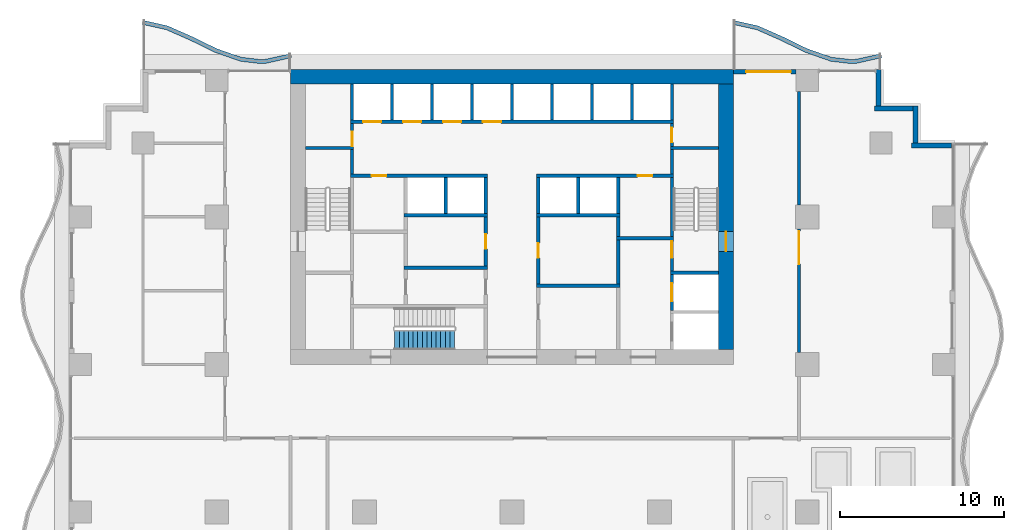
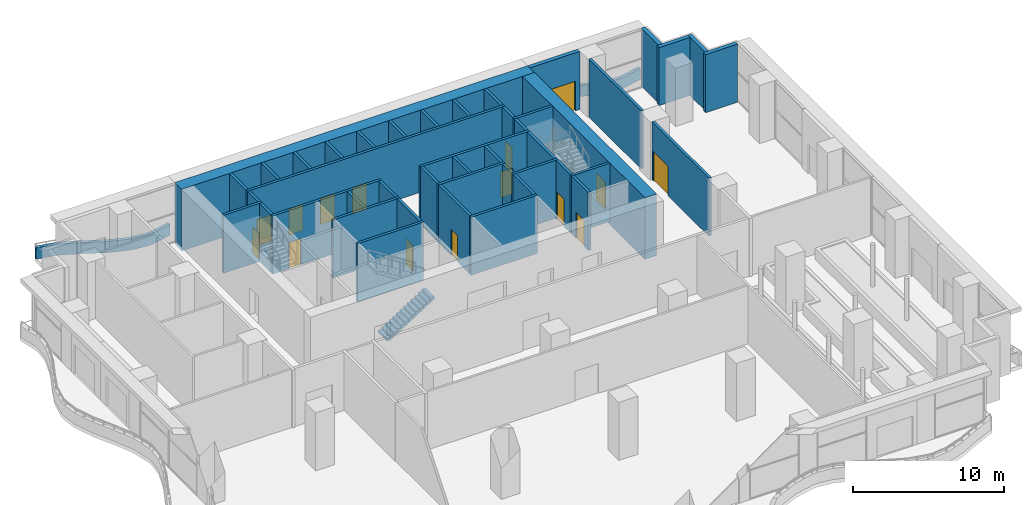
# One storey, part 9 of 18: 47 walls, 15 doors, 1 stair flight, 15 openings, 1 element without a shape of its own.
"""IFC4 building model written with IfcOpenShell, lengths in metres."""

from ifc_helpers import new_model, si_unit, direction, frame, frame_2d, origin, place, context, subcontext, project, spatial, polyline, rectangle, outline, extrude, material, layer, layer_set, type_object, element, fill, aggregate, save


model = new_model("IFC4")

# Units and contexts
model_context = context("Model", 3, precision=1e-05, world=origin(), true_north=direction((0.0, 1.0)))
body_context = subcontext(model_context, "Body", "Model", "MODEL_VIEW")
ifc_project = project(units=[si_unit("LENGTHUNIT", "METRE"), si_unit("AREAUNIT", "SQUARE_METRE"), si_unit("VOLUMEUNIT", "CUBIC_METRE"), si_unit("PLANEANGLEUNIT", "RADIAN"), si_unit("MASSUNIT", "GRAM", prefix="KILO")], contexts=[model_context])

# Site, building, storey
site_placement = place(None, origin())
site = spatial("IfcSite", under=ifc_project, at=site_placement, CompositionType="ELEMENT")
building_placement = place(site_placement, origin())
building = spatial("IfcBuilding", under=site, at=building_placement, Name="Orbiselva Terraces", CompositionType="ELEMENT")
storey_placement = place(building_placement, frame((0.0, 0.0, 64.4)))
storey = spatial("IfcBuildingStorey", under=building, at=storey_placement, Name="L16", CompositionType="ELEMENT", Elevation=64.4)

# Wall, opening, door
ifc_material_1 = material(Name="Concrete C80/95", Category="concrete")
ifc_layer_1 = layer(ifc_material_1, 0.9)
ifc_layer_set_1 = layer_set([ifc_layer_1], Name="Concrete C80/95")
wall_type_1 = type_object("IfcWallType", Name="CORE WALL 900", PredefinedType="SHEAR", material=ifc_layer_set_1)
wall_1_placement = place(storey_placement, frame((13.05, 5.4, -0.3), z_axis=(0.0, 0.0, 1.0), x_axis=(0.0, 1.0, 0.0)))
wall_1 = element("IfcWall", 1, at=wall_1_placement, inside=storey, type_object=wall_type_1, Name="Core wall L16 east", PredefinedType="SHEAR", context=body_context, shape_type="SweptSolid", body=[
    extrude(rectangle(XDim=16.2, YDim=0.9, at=frame_2d((8.1, 0.0))), origin(), (0.0, 0.0, 1.0), 5.0),
])
opening_1_placement = place(wall_1_placement, frame((6.0, 0.0, 0.3)))
opening_1 = element("IfcOpeningElement", 2, at=opening_1_placement, cuts=wall_1, Name="Opening DS1200", PredefinedType="OPENING", context=body_context, shape_type="SweptSolid", body=[
    extrude(rectangle(XDim=1.2, YDim=2.2, at=frame_2d((0.6, 1.1))), frame((0.0, 0.46, 0.0), z_axis=(0.0, -1.0, 0.0), x_axis=(1.0, 0.0, 0.0)), (0.0, 0.0, 1.0), 0.92),
])
ifc_material_2 = material(Name="Steel fire door", Category="steel")
door_type_1 = type_object("IfcDoorType", Name="STAIR DOOR 1200", OperationType="NOTDEFINED", PredefinedType="DOOR", material=ifc_material_2)
door_1_placement = place(opening_1_placement, frame((1.2, 0.0, 0.0), z_axis=(0.0, 0.0, 1.0), x_axis=(-1.0, 0.0, 0.0)))
door_1 = element("IfcDoor", 3, at=door_1_placement, inside=storey, type_object=door_type_1, Name="L16 EXIT STAIR S2 door", OperationType="SINGLE_SWING_LEFT", OverallHeight=2.2, OverallWidth=1.2, PredefinedType="DOOR", context=body_context, shape_type="SweptSolid", body=[
    extrude(rectangle(XDim=1.2, YDim=2.2, at=frame_2d((0.6, 1.1))), frame((0.0, 0.025, 0.0), z_axis=(0.0, -1.0, 0.0), x_axis=(1.0, 0.0, 0.0)), (0.0, 0.0, 1.0), 0.05),
])
fill(opening_1, door_1)

# Wall
ifc_layer_2 = layer(ifc_material_1, 0.9)
ifc_layer_set_2 = layer_set([ifc_layer_2], Name="Concrete C80/95")
wall_type_2 = type_object("IfcWallType", Name="CORE WALL 900 EXTERNAL", PredefinedType="SHEAR", material=ifc_layer_set_2)
wall_2_placement = place(storey_placement, frame((13.5, 22.05, -0.3), z_axis=(0.0, 0.0, 1.0), x_axis=(-1.0, 0.0, 0.0)))
element("IfcWall", 4, at=wall_2_placement, inside=storey, type_object=wall_type_2, Name="Core wall L16 north", PredefinedType="SHEAR", context=body_context, shape_type="SweptSolid", body=[
    extrude(rectangle(XDim=27.0, YDim=0.9, at=frame_2d((13.5, 0.0))), origin(), (0.0, 0.0, 1.0), 5.0),
])

# Wall, opening, door
ifc_material_3 = material(Name="Masonry blockwork", Category="masonry")
ifc_layer_3 = layer(ifc_material_3, 0.2)
ifc_layer_set_3 = layer_set([ifc_layer_3], Name="Masonry blockwork")
wall_type_3 = type_object("IfcWallType", Name="CORE-WALL-PARTITION-200", PredefinedType="PARTITIONING", material=ifc_layer_set_3)
wall_3_placement = place(storey_placement, frame((-9.75, 17.8, 0.0), z_axis=(0.0, 0.0, 1.0), x_axis=(0.0, 1.0, 0.0)))
wall_3 = element("IfcWall", 5, at=wall_3_placement, inside=storey, type_object=wall_type_3, Name="L16 core wall 11", PredefinedType="PARTITIONING", context=body_context, shape_type="SweptSolid", body=[
    extrude(rectangle(XDim=1.4, YDim=0.2, at=frame_2d((0.7, 0.0))), origin(), (0.0, 0.0, 1.0), 4.7),
])
opening_2_placement = place(wall_3_placement, origin())
opening_2 = element("IfcOpeningElement", 6, at=opening_2_placement, cuts=wall_3, Name="Opening DR900", PredefinedType="OPENING", context=body_context, shape_type="SweptSolid", body=[
    extrude(rectangle(XDim=0.9, YDim=2.1, at=frame_2d((0.45, 1.05))), frame((0.0, 0.11, 0.0), z_axis=(0.0, -1.0, 0.0), x_axis=(1.0, 0.0, 0.0)), (0.0, 0.0, 1.0), 0.22),
])
door_type_2 = type_object("IfcDoorType", Name="ROOM DOOR 900", OperationType="NOTDEFINED", PredefinedType="DOOR", material=ifc_material_2)
door_2_placement = place(opening_2_placement, origin())
door_2 = element("IfcDoor", 7, at=door_2_placement, inside=storey, type_object=door_type_2, Name="L16 ELECTRICAL RISER ROOM door", OperationType="SINGLE_SWING_LEFT", OverallHeight=2.1, OverallWidth=0.9, PredefinedType="DOOR", context=body_context, shape_type="SweptSolid", body=[
    extrude(rectangle(XDim=0.9, YDim=2.1, at=frame_2d((0.45, 1.05))), frame((0.0, 0.025, 0.0), z_axis=(0.0, -1.0, 0.0), x_axis=(1.0, 0.0, 0.0)), (0.0, 0.0, 1.0), 0.05),
])
fill(opening_2, door_2)

wall_4_placement = place(storey_placement, frame((-1.6, 10.5, 0.0), z_axis=(0.0, 0.0, 1.0), x_axis=(0.0, 1.0, 0.0)))
wall_4 = element("IfcWall", 8, at=wall_4_placement, inside=storey, type_object=wall_type_3, Name="L16 core wall 26", PredefinedType="PARTITIONING", context=body_context, shape_type="SweptSolid", body=[
    extrude(rectangle(XDim=3.0, YDim=0.2, at=frame_2d((1.5, 0.0))), origin(), (0.0, 0.0, 1.0), 4.7),
])
opening_3_placement = place(wall_4_placement, frame((1.05, 0.0, 0.0)))
opening_3 = element("IfcOpeningElement", 9, at=opening_3_placement, cuts=wall_4, Name="Opening DR900", PredefinedType="OPENING", context=body_context, shape_type="SweptSolid", body=[
    extrude(rectangle(XDim=0.9, YDim=2.1, at=frame_2d((0.45, 1.05))), frame((0.0, 0.11, 0.0), z_axis=(0.0, -1.0, 0.0), x_axis=(1.0, 0.0, 0.0)), (0.0, 0.0, 1.0), 0.22),
])
door_3_placement = place(opening_3_placement, origin())
door_3 = element("IfcDoor", 10, at=door_3_placement, inside=storey, type_object=door_type_2, Name="L16 LINEN STORE door", OperationType="SINGLE_SWING_RIGHT", OverallHeight=2.1, OverallWidth=0.9, PredefinedType="DOOR", context=body_context, shape_type="SweptSolid", body=[
    extrude(rectangle(XDim=0.9, YDim=2.1, at=frame_2d((0.45, 1.05))), frame((0.0, 0.025, 0.0), z_axis=(0.0, -1.0, 0.0), x_axis=(1.0, 0.0, 0.0)), (0.0, 0.0, 1.0), 0.05),
])
fill(opening_3, door_3)

# Wall
wall_5_placement = place(storey_placement, frame((6.475, 12.3, 0.0), z_axis=(0.0, 0.0, 1.0), x_axis=(0.0, 1.0, 0.0)))
element("IfcWall", 11, at=wall_5_placement, inside=storey, type_object=wall_type_3, Name="L16 core wall 41", PredefinedType="PARTITIONING", context=body_context, shape_type="SweptSolid", body=[
    extrude(rectangle(XDim=1.2, YDim=0.2, at=frame_2d((0.6, 0.0))), origin(), (0.0, 0.0, 1.0), 4.7),
])

# Wall, opening, door
wall_6_placement = place(storey_placement, frame((9.75, 19.2, 0.0), z_axis=(0.0, 0.0, 1.0), x_axis=(0.0, -1.0, 0.0)))
wall_6 = element("IfcWall", 12, at=wall_6_placement, inside=storey, type_object=wall_type_3, Name="L16 core wall 52", PredefinedType="PARTITIONING", context=body_context, shape_type="SweptSolid", body=[
    extrude(rectangle(XDim=1.4, YDim=0.2, at=frame_2d((0.7, 0.0))), origin(), (0.0, 0.0, 1.0), 4.7),
])
opening_4_placement = place(wall_6_placement, frame((0.25, 0.0, 0.0)))
opening_4 = element("IfcOpeningElement", 13, at=opening_4_placement, cuts=wall_6, Name="Opening DR900", PredefinedType="OPENING", context=body_context, shape_type="SweptSolid", body=[
    extrude(rectangle(XDim=0.9, YDim=2.1, at=frame_2d((0.45, 1.05))), frame((0.0, 0.11, 0.0), z_axis=(0.0, -1.0, 0.0), x_axis=(1.0, 0.0, 0.0)), (0.0, 0.0, 1.0), 0.22),
])
door_4_placement = place(opening_4_placement, origin())
door_4 = element("IfcDoor", 14, at=door_4_placement, inside=storey, type_object=door_type_2, Name="L16 ELECTRICAL RISER ROOM door", OperationType="SINGLE_SWING_RIGHT", OverallHeight=2.1, OverallWidth=0.9, PredefinedType="DOOR", context=body_context, shape_type="SweptSolid", body=[
    extrude(rectangle(XDim=0.9, YDim=2.1, at=frame_2d((0.45, 1.05))), frame((0.0, 0.025, 0.0), z_axis=(0.0, -1.0, 0.0), x_axis=(1.0, 0.0, 0.0)), (0.0, 0.0, 1.0), 0.05),
])
fill(opening_4, door_4)

# Walls
ifc_material_4 = material(Name="Concrete C40/50", Category="concrete")
ifc_layer_4 = layer(ifc_material_4, 0.2)
ifc_layer_set_4 = layer_set([ifc_layer_4], Name="Concrete C40/50")
wall_type_4 = type_object("IfcWallType", Name="CORE-WALL-SHAFT-200", PredefinedType="PARTITIONING", material=ifc_layer_set_4)
for number, where, z_axis, x_axis, name in (
    (15, (-9.75, 19.4, 0.0), (0.0, 0.0, 1.0), (0.0, 1.0, 0.0), "L16 core wall 13"),
    (16, (-7.3125, 19.4, 0.0), (0.0, 0.0, 1.0), (0.0, 1.0, 0.0), "L16 core wall 14"),
    (17, (-4.875, 19.4, 0.0), (0.0, 0.0, 1.0), (0.0, 1.0, 0.0), "L16 core wall 21"),
    (18, (-4.0375, 13.7, 0.0), (0.0, 0.0, 1.0), (0.0, 1.0, 0.0), "L16 core wall 22"),
    (19, (-2.4375, 19.4, 0.0), (0.0, 0.0, 1.0), (0.0, 1.0, 0.0), "L16 core wall 23"),
    (20, (-1.6, 13.7, 0.0), (0.0, 0.0, 1.0), (0.0, 1.0, 0.0), "L16 core wall 27"),
    (21, (0.0, 19.4, 0.0), (0.0, 0.0, 1.0), (0.0, 1.0, 0.0), "L16 core wall 28"),
    (22, (1.6, 13.7, 0.0), (0.0, 0.0, 1.0), (0.0, 1.0, 0.0), "L16 core wall 33"),
    (23, (2.4375, 19.4, 0.0), (0.0, 0.0, 1.0), (0.0, 1.0, 0.0), "L16 core wall 35"),
    (24, (4.0375, 13.7, 0.0), (0.0, 0.0, 1.0), (0.0, 1.0, 0.0), "L16 core wall 36"),
    (25, (4.875, 19.4, 0.0), (0.0, 0.0, 1.0), (0.0, 1.0, 0.0), "L16 core wall 37"),
    (26, (6.475, 13.7, 0.0), (0.0, 0.0, 1.0), (0.0, 1.0, 0.0), "L16 core wall 42"),
    (27, (7.3125, 19.4, 0.0), (0.0, 0.0, 1.0), (0.0, 1.0, 0.0), "L16 core wall 43"),
    (28, (9.75, 19.4, 0.0), (0.0, 0.0, 1.0), (0.0, 1.0, 0.0), "L16 core wall 53"),
):
    element("IfcWall", number, at=place(storey_placement, frame(where, z_axis=z_axis, x_axis=x_axis)), inside=storey, type_object=wall_type_4, Name=name, PredefinedType="PARTITIONING", context=body_context, shape_type="SweptSolid", body=[
        extrude(rectangle(XDim=2.2, YDim=0.2, at=frame_2d((1.1, 0.0))), origin(), (0.0, 0.0, 1.0), 4.7),
    ])
ifc_material_5 = material(Name="Concrete C60/75", Category="concrete")
ifc_layer_5 = layer(ifc_material_5, 0.2)
ifc_layer_set_5 = layer_set([ifc_layer_5], Name="Concrete C60/75")
wall_type_5 = type_object("IfcWallType", Name="CORE-WALL-SHEAR-200", PredefinedType="SHEAR", material=ifc_layer_set_5)
wall_7_placement = place(storey_placement, frame((-12.6, 17.7, 0.0), z_axis=(0.0, 0.0, 1.0), x_axis=(1.0, 0.0, 0.0)))
element("IfcWall", 29, at=wall_7_placement, inside=storey, type_object=wall_type_5, Name="L16 core wall 02", PredefinedType="SHEAR", context=body_context, shape_type="SweptSolid", body=[
    extrude(rectangle(XDim=2.95, YDim=0.2, at=frame_2d((1.475, 0.0))), origin(), (0.0, 0.0, 1.0), 4.7),
])

# Wall, opening, door
wall_8_placement = place(storey_placement, frame((-1.5, 16.0, 0.0), z_axis=(0.0, 0.0, 1.0), x_axis=(-1.0, 0.0, 0.0)))
wall_8 = element("IfcWall", 30, at=wall_8_placement, inside=storey, type_object=wall_type_5, Name="L16 core wall 09", PredefinedType="SHEAR", context=body_context, shape_type="SweptSolid", body=[
    extrude(rectangle(XDim=8.35, YDim=0.2, at=frame_2d((4.175, 0.0))), origin(), (0.0, 0.0, 1.0), 4.7),
])
opening_5_placement = place(wall_8_placement, frame((6.1625, 0.0, 0.0)))
opening_5 = element("IfcOpeningElement", 31, at=opening_5_placement, cuts=wall_8, Name="Opening DR900", PredefinedType="OPENING", context=body_context, shape_type="SweptSolid", body=[
    extrude(rectangle(XDim=0.9, YDim=2.1, at=frame_2d((0.45, 1.05))), frame((0.0, 0.11, 0.0), z_axis=(0.0, -1.0, 0.0), x_axis=(1.0, 0.0, 0.0)), (0.0, 0.0, 1.0), 0.22),
])
door_5_placement = place(opening_5_placement, origin())
door_5 = element("IfcDoor", 32, at=door_5_placement, inside=storey, type_object=door_type_2, Name="L16 IT ROOM door", OperationType="SINGLE_SWING_RIGHT", OverallHeight=2.1, OverallWidth=0.9, PredefinedType="DOOR", context=body_context, shape_type="SweptSolid", body=[
    extrude(rectangle(XDim=0.9, YDim=2.1, at=frame_2d((0.45, 1.05))), frame((0.0, 0.025, 0.0), z_axis=(0.0, -1.0, 0.0), x_axis=(1.0, 0.0, 0.0)), (0.0, 0.0, 1.0), 0.05),
])
fill(opening_5, door_5)

# Wall
wall_9_placement = place(storey_placement, frame((-9.75, 16.1, 0.0), z_axis=(0.0, 0.0, 1.0), x_axis=(0.0, 1.0, 0.0)))
element("IfcWall", 33, at=wall_9_placement, inside=storey, type_object=wall_type_5, Name="L16 core wall 10", PredefinedType="SHEAR", context=body_context, shape_type="SweptSolid", body=[
    extrude(rectangle(XDim=1.5, YDim=0.2, at=frame_2d((0.75, 0.0))), origin(), (0.0, 0.0, 1.0), 4.7),
])

# Wall, openings, doors
wall_10_placement = place(storey_placement, frame((-9.85, 19.3, 0.0), z_axis=(0.0, 0.0, 1.0), x_axis=(1.0, 0.0, 0.0)))
wall_10 = element("IfcWall", 34, at=wall_10_placement, inside=storey, type_object=wall_type_5, Name="L16 core wall 12", PredefinedType="SHEAR", context=body_context, shape_type="SweptSolid", body=[
    extrude(rectangle(XDim=19.7, YDim=0.2, at=frame_2d((9.85, 0.0))), origin(), (0.0, 0.0, 1.0), 4.7),
])
opening_6_placement = place(wall_10_placement, frame((0.76875, 0.0, 0.0)))
opening_6 = element("IfcOpeningElement", 35, at=opening_6_placement, cuts=wall_10, Name="Opening LD-LR1", PredefinedType="OPENING", context=body_context, shape_type="SweptSolid", body=[
    extrude(rectangle(XDim=1.1, YDim=2.1, at=frame_2d((0.55, 1.05))), frame((0.0, 0.11, 0.0), z_axis=(0.0, -1.0, 0.0), x_axis=(1.0, 0.0, 0.0)), (0.0, 0.0, 1.0), 0.22),
])
opening_7_placement = place(wall_10_placement, frame((3.20625, 0.0, 0.0)))
opening_7 = element("IfcOpeningElement", 36, at=opening_7_placement, cuts=wall_10, Name="Opening LD-LR2", PredefinedType="OPENING", context=body_context, shape_type="SweptSolid", body=[
    extrude(rectangle(XDim=1.1, YDim=2.1, at=frame_2d((0.55, 1.05))), frame((0.0, 0.11, 0.0), z_axis=(0.0, -1.0, 0.0), x_axis=(1.0, 0.0, 0.0)), (0.0, 0.0, 1.0), 0.22),
])
opening_8_placement = place(wall_10_placement, frame((5.64375, 0.0, 0.0)))
opening_8 = element("IfcOpeningElement", 37, at=opening_8_placement, cuts=wall_10, Name="Opening LD-LR3", PredefinedType="OPENING", context=body_context, shape_type="SweptSolid", body=[
    extrude(rectangle(XDim=1.1, YDim=2.1, at=frame_2d((0.55, 1.05))), frame((0.0, 0.11, 0.0), z_axis=(0.0, -1.0, 0.0), x_axis=(1.0, 0.0, 0.0)), (0.0, 0.0, 1.0), 0.22),
])
opening_9_placement = place(wall_10_placement, frame((8.08125, 0.0, 0.0)))
opening_9 = element("IfcOpeningElement", 38, at=opening_9_placement, cuts=wall_10, Name="Opening LD-LR4", PredefinedType="OPENING", context=body_context, shape_type="SweptSolid", body=[
    extrude(rectangle(XDim=1.1, YDim=2.1, at=frame_2d((0.55, 1.05))), frame((0.0, 0.11, 0.0), z_axis=(0.0, -1.0, 0.0), x_axis=(1.0, 0.0, 0.0)), (0.0, 0.0, 1.0), 0.22),
])
ifc_material_6 = material(Name="Stainless steel landing door", Category="steel")
door_type_3 = type_object("IfcDoorType", Name="LANDING DOOR 1100", OperationType="SLIDING_TO_LEFT", PredefinedType="DOOR", material=ifc_material_6)
door_6_placement = place(opening_6_placement, origin())
door_6 = element("IfcDoor", 39, at=door_6_placement, inside=storey, type_object=door_type_3, Name="L16 landing door LR1", OperationType="SLIDING_TO_LEFT", OverallHeight=2.1, OverallWidth=1.1, PredefinedType="DOOR", context=body_context, shape_type="SweptSolid", body=[
    extrude(rectangle(XDim=1.1, YDim=2.1, at=frame_2d((0.55, 1.05))), frame((0.0, 0.025, 0.0), z_axis=(0.0, -1.0, 0.0), x_axis=(1.0, 0.0, 0.0)), (0.0, 0.0, 1.0), 0.05),
])
fill(opening_6, door_6)
door_7_placement = place(opening_7_placement, origin())
door_7 = element("IfcDoor", 40, at=door_7_placement, inside=storey, type_object=door_type_3, Name="L16 landing door LR2", OperationType="SLIDING_TO_LEFT", OverallHeight=2.1, OverallWidth=1.1, PredefinedType="DOOR", context=body_context, shape_type="SweptSolid", body=[
    extrude(rectangle(XDim=1.1, YDim=2.1, at=frame_2d((0.55, 1.05))), frame((0.0, 0.025, 0.0), z_axis=(0.0, -1.0, 0.0), x_axis=(1.0, 0.0, 0.0)), (0.0, 0.0, 1.0), 0.05),
])
fill(opening_7, door_7)
door_8_placement = place(opening_8_placement, origin())
door_8 = element("IfcDoor", 41, at=door_8_placement, inside=storey, type_object=door_type_3, Name="L16 landing door LR3", OperationType="SLIDING_TO_LEFT", OverallHeight=2.1, OverallWidth=1.1, PredefinedType="DOOR", context=body_context, shape_type="SweptSolid", body=[
    extrude(rectangle(XDim=1.1, YDim=2.1, at=frame_2d((0.55, 1.05))), frame((0.0, 0.025, 0.0), z_axis=(0.0, -1.0, 0.0), x_axis=(1.0, 0.0, 0.0)), (0.0, 0.0, 1.0), 0.05),
])
fill(opening_8, door_8)
door_9_placement = place(opening_9_placement, origin())
door_9 = element("IfcDoor", 42, at=door_9_placement, inside=storey, type_object=door_type_3, Name="L16 landing door LR4", OperationType="SLIDING_TO_LEFT", OverallHeight=2.1, OverallWidth=1.1, PredefinedType="DOOR", context=body_context, shape_type="SweptSolid", body=[
    extrude(rectangle(XDim=1.1, YDim=2.1, at=frame_2d((0.55, 1.05))), frame((0.0, 0.025, 0.0), z_axis=(0.0, -1.0, 0.0), x_axis=(1.0, 0.0, 0.0)), (0.0, 0.0, 1.0), 0.05),
])
fill(opening_9, door_9)

# Walls
for number, where, z_axis, x_axis, name in (
    (43, (-6.575, 10.4, 0.0), (0.0, 0.0, 1.0), (1.0, 0.0, 0.0), "L16 core wall 16"),
    (44, (-6.575, 13.6, 0.0), (0.0, 0.0, 1.0), (1.0, 0.0, 0.0), "L16 core wall 19"),
    (45, (1.5, 9.3, 0.0), (0.0, 0.0, 1.0), (1.0, 0.0, 0.0), "L16 core wall 30"),
):
    element("IfcWall", number, at=place(storey_placement, frame(where, z_axis=z_axis, x_axis=x_axis)), inside=storey, type_object=wall_type_5, Name=name, PredefinedType="SHEAR", context=body_context, shape_type="SweptSolid", body=[
        extrude(rectangle(XDim=5.075, YDim=0.2, at=frame_2d((2.5375, 0.0))), origin(), (0.0, 0.0, 1.0), 4.7),
    ])

# Wall, opening, door
wall_11_placement = place(storey_placement, frame((1.6, 13.5, 0.0), z_axis=(0.0, 0.0, 1.0), x_axis=(0.0, -1.0, 0.0)))
wall_11 = element("IfcWall", 46, at=wall_11_placement, inside=storey, type_object=wall_type_5, Name="L16 core wall 31", PredefinedType="SHEAR", context=body_context, shape_type="SweptSolid", body=[
    extrude(rectangle(XDim=4.1, YDim=0.2, at=frame_2d((2.05, 0.0))), origin(), (0.0, 0.0, 1.0), 4.7),
])
opening_10_placement = place(wall_11_placement, frame((1.6, 0.0, 0.0)))
opening_10 = element("IfcOpeningElement", 47, at=opening_10_placement, cuts=wall_11, Name="Opening DR900", PredefinedType="OPENING", context=body_context, shape_type="SweptSolid", body=[
    extrude(rectangle(XDim=0.9, YDim=2.1, at=frame_2d((0.45, 1.05))), frame((0.0, 0.11, 0.0), z_axis=(0.0, -1.0, 0.0), x_axis=(1.0, 0.0, 0.0)), (0.0, 0.0, 1.0), 0.22),
])
door_10_placement = place(opening_10_placement, origin())
door_10 = element("IfcDoor", 48, at=door_10_placement, inside=storey, type_object=door_type_2, Name="L16 COMMS ROOM door", OperationType="SINGLE_SWING_RIGHT", OverallHeight=2.1, OverallWidth=0.9, PredefinedType="DOOR", context=body_context, shape_type="SweptSolid", body=[
    extrude(rectangle(XDim=0.9, YDim=2.1, at=frame_2d((0.45, 1.05))), frame((0.0, 0.025, 0.0), z_axis=(0.0, -1.0, 0.0), x_axis=(1.0, 0.0, 0.0)), (0.0, 0.0, 1.0), 0.05),
])
fill(opening_10, door_10)

# Wall
wall_12_placement = place(storey_placement, frame((1.5, 13.6, 0.0), z_axis=(0.0, 0.0, 1.0), x_axis=(1.0, 0.0, 0.0)))
element("IfcWall", 49, at=wall_12_placement, inside=storey, type_object=wall_type_5, Name="L16 core wall 32", PredefinedType="SHEAR", context=body_context, shape_type="SweptSolid", body=[
    extrude(rectangle(XDim=5.075, YDim=0.2, at=frame_2d((2.5375, 0.0))), origin(), (0.0, 0.0, 1.0), 4.7),
])

# Wall, opening, door
wall_13_placement = place(storey_placement, frame((9.85, 16.0, 0.0), z_axis=(0.0, 0.0, 1.0), x_axis=(-1.0, 0.0, 0.0)))
wall_13 = element("IfcWall", 50, at=wall_13_placement, inside=storey, type_object=wall_type_5, Name="L16 core wall 34", PredefinedType="SHEAR", context=body_context, shape_type="SweptSolid", body=[
    extrude(rectangle(XDim=8.35, YDim=0.2, at=frame_2d((4.175, 0.0))), origin(), (0.0, 0.0, 1.0), 4.7),
])
opening_11_placement = place(wall_13_placement, frame((1.2875, 0.0, 0.0)))
opening_11 = element("IfcOpeningElement", 51, at=opening_11_placement, cuts=wall_13, Name="Opening DR900", PredefinedType="OPENING", context=body_context, shape_type="SweptSolid", body=[
    extrude(rectangle(XDim=0.9, YDim=2.1, at=frame_2d((0.45, 1.05))), frame((0.0, 0.11, 0.0), z_axis=(0.0, -1.0, 0.0), x_axis=(1.0, 0.0, 0.0)), (0.0, 0.0, 1.0), 0.22),
])
door_11_placement = place(opening_11_placement, origin())
door_11 = element("IfcDoor", 52, at=door_11_placement, inside=storey, type_object=door_type_2, Name="L16 PIPE RISER ROOM door", OperationType="SINGLE_SWING_LEFT", OverallHeight=2.1, OverallWidth=0.9, PredefinedType="DOOR", context=body_context, shape_type="SweptSolid", body=[
    extrude(rectangle(XDim=0.9, YDim=2.1, at=frame_2d((0.45, 1.05))), frame((0.0, 0.025, 0.0), z_axis=(0.0, -1.0, 0.0), x_axis=(1.0, 0.0, 0.0)), (0.0, 0.0, 1.0), 0.05),
])
fill(opening_11, door_11)

# Walls
wall_14_placement = place(storey_placement, frame((6.475, 9.4, 0.0), z_axis=(0.0, 0.0, 1.0), x_axis=(0.0, 1.0, 0.0)))
element("IfcWall", 53, at=wall_14_placement, inside=storey, type_object=wall_type_5, Name="L16 core wall 39", PredefinedType="SHEAR", context=body_context, shape_type="SweptSolid", body=[
    extrude(rectangle(XDim=2.7, YDim=0.2, at=frame_2d((1.35, 0.0))), origin(), (0.0, 0.0, 1.0), 4.7),
])
wall_15_placement = place(storey_placement, frame((6.375, 12.2, 0.0), z_axis=(0.0, 0.0, 1.0), x_axis=(1.0, 0.0, 0.0)))
element("IfcWall", 54, at=wall_15_placement, inside=storey, type_object=wall_type_5, Name="L16 core wall 40", PredefinedType="SHEAR", context=body_context, shape_type="SweptSolid", body=[
    extrude(rectangle(XDim=3.475, YDim=0.2, at=frame_2d((1.7375, 0.0))), origin(), (0.0, 0.0, 1.0), 4.7),
])

# Wall, opening, door
wall_16_placement = place(storey_placement, frame((9.75, 7.8, 0.0), z_axis=(0.0, 0.0, 1.0), x_axis=(0.0, 1.0, 0.0)))
wall_16 = element("IfcWall", 55, at=wall_16_placement, inside=storey, type_object=wall_type_5, Name="L16 core wall 46", PredefinedType="SHEAR", context=body_context, shape_type="SweptSolid", body=[
    extrude(rectangle(XDim=2.2, YDim=0.2, at=frame_2d((1.1, 0.0))), origin(), (0.0, 0.0, 1.0), 4.7),
])
opening_12_placement = place(wall_16_placement, frame((0.55, 0.0, 0.0)))
opening_12 = element("IfcOpeningElement", 56, at=opening_12_placement, cuts=wall_16, Name="Opening LD-FF2", PredefinedType="OPENING", context=body_context, shape_type="SweptSolid", body=[
    extrude(rectangle(XDim=1.1, YDim=2.1, at=frame_2d((0.55, 1.05))), frame((0.0, 0.11, 0.0), z_axis=(0.0, -1.0, 0.0), x_axis=(1.0, 0.0, 0.0)), (0.0, 0.0, 1.0), 0.22),
])
door_12_placement = place(opening_12_placement, origin())
door_12 = element("IfcDoor", 57, at=door_12_placement, inside=storey, type_object=door_type_3, Name="L16 landing door FF2", OperationType="SLIDING_TO_RIGHT", OverallHeight=2.1, OverallWidth=1.1, PredefinedType="DOOR", context=body_context, shape_type="SweptSolid", body=[
    extrude(rectangle(XDim=1.1, YDim=2.1, at=frame_2d((0.55, 1.05))), frame((0.0, 0.025, 0.0), z_axis=(0.0, -1.0, 0.0), x_axis=(1.0, 0.0, 0.0)), (0.0, 0.0, 1.0), 0.05),
])
fill(opening_12, door_12)

# Wall
wall_17_placement = place(storey_placement, frame((9.65, 10.1, 0.0), z_axis=(0.0, 0.0, 1.0), x_axis=(1.0, 0.0, 0.0)))
element("IfcWall", 58, at=wall_17_placement, inside=storey, type_object=wall_type_5, Name="L16 core wall 47", PredefinedType="SHEAR", context=body_context, shape_type="SweptSolid", body=[
    extrude(rectangle(XDim=2.95, YDim=0.2, at=frame_2d((1.475, 0.0))), origin(), (0.0, 0.0, 1.0), 4.7),
])

# Wall, opening, door
wall_18_placement = place(storey_placement, frame((9.75, 12.1, 0.0), z_axis=(0.0, 0.0, 1.0), x_axis=(0.0, -1.0, 0.0)))
wall_18 = element("IfcWall", 59, at=wall_18_placement, inside=storey, type_object=wall_type_5, Name="L16 core wall 48", PredefinedType="SHEAR", context=body_context, shape_type="SweptSolid", body=[
    extrude(rectangle(XDim=1.9, YDim=0.2, at=frame_2d((0.95, 0.0))), origin(), (0.0, 0.0, 1.0), 4.7),
])
opening_13_placement = place(wall_18_placement, frame((0.1, 0.0, 0.0)))
opening_13 = element("IfcOpeningElement", 60, at=opening_13_placement, cuts=wall_18, Name="Opening DS1000", PredefinedType="OPENING", context=body_context, shape_type="SweptSolid", body=[
    extrude(rectangle(XDim=1.0, YDim=2.2, at=frame_2d((0.5, 1.1))), frame((0.0, 0.11, 0.0), z_axis=(0.0, -1.0, 0.0), x_axis=(1.0, 0.0, 0.0)), (0.0, 0.0, 1.0), 0.22),
])
door_type_4 = type_object("IfcDoorType", Name="STAIR DOOR 1000", OperationType="NOTDEFINED", PredefinedType="DOOR", material=ifc_material_2)
door_13_placement = place(opening_13_placement, origin())
door_13 = element("IfcDoor", 61, at=door_13_placement, inside=storey, type_object=door_type_4, Name="L16 FIRE-FIGHTING LOBBY TO EXIT STAIR S2 door", OperationType="SINGLE_SWING_LEFT", OverallHeight=2.2, OverallWidth=1.0, PredefinedType="DOOR", context=body_context, shape_type="SweptSolid", body=[
    extrude(rectangle(XDim=1.0, YDim=2.2, at=frame_2d((0.5, 1.1))), frame((0.0, 0.025, 0.0), z_axis=(0.0, -1.0, 0.0), x_axis=(1.0, 0.0, 0.0)), (0.0, 0.0, 1.0), 0.05),
])
fill(opening_13, door_13)

# Walls
wall_19_placement = place(storey_placement, frame((9.75, 12.3, 0.0), z_axis=(0.0, 0.0, 1.0), x_axis=(0.0, 1.0, 0.0)))
element("IfcWall", 62, at=wall_19_placement, inside=storey, type_object=wall_type_5, Name="L16 core wall 49", PredefinedType="SHEAR", context=body_context, shape_type="SweptSolid", body=[
    extrude(rectangle(XDim=3.6, YDim=0.2, at=frame_2d((1.8, 0.0))), origin(), (0.0, 0.0, 1.0), 4.7),
])
wall_20_placement = place(storey_placement, frame((9.75, 16.1, 0.0), z_axis=(0.0, 0.0, 1.0), x_axis=(0.0, 1.0, 0.0)))
element("IfcWall", 63, at=wall_20_placement, inside=storey, type_object=wall_type_5, Name="L16 core wall 50", PredefinedType="SHEAR", context=body_context, shape_type="SweptSolid", body=[
    extrude(rectangle(XDim=1.5, YDim=0.2, at=frame_2d((0.75, 0.0))), origin(), (0.0, 0.0, 1.0), 4.7),
])
wall_21_placement = place(storey_placement, frame((9.65, 17.7, 0.0), z_axis=(0.0, 0.0, 1.0), x_axis=(1.0, 0.0, 0.0)))
element("IfcWall", 64, at=wall_21_placement, inside=storey, type_object=wall_type_5, Name="L16 core wall 51", PredefinedType="SHEAR", context=body_context, shape_type="SweptSolid", body=[
    extrude(rectangle(XDim=2.95, YDim=0.2, at=frame_2d((1.475, 0.0))), origin(), (0.0, 0.0, 1.0), 4.7),
])
ifc_layer_6 = layer(ifc_material_4, 0.25)
ifc_layer_set_6 = layer_set([ifc_layer_6], Name="Concrete C40/50")
wall_type_6 = type_object("IfcWallType", Name="ENV-PLANTER-250x900", PredefinedType="USERDEFINED", material=ifc_layer_set_6)
wall_22_placement = place(storey_placement, origin())
element("IfcWall", 65, at=wall_22_placement, inside=storey, type_object=wall_type_6, Name="Balcony planter L16 NE", ObjectType="PLANTER", PredefinedType="USERDEFINED", context=body_context, shape_type="SweptSolid", body=[
    extrude(outline(polyline([(22.5, 23.451472), (21.0, 23.114774), (20.625, 23.1), (19.5, 23.230792), (18.0, 23.755211), (16.5, 24.487721), (15.0, 25.148528), (13.5, 25.485226), (13.445246, 25.241296), (14.921492, 24.90993), (16.394714, 24.260919), (17.90356, 23.524089), (19.443629, 22.985662), (20.615428, 22.849429), (21.032565, 22.865863), (22.554754, 23.207542), (22.5, 23.451472)])), origin(), (0.0, 0.0, 1.0), 0.9),
])
wall_23_placement = place(storey_placement, origin())
element("IfcWall", 66, at=wall_23_placement, inside=storey, type_object=wall_type_6, Name="Balcony planter L16 NW", ObjectType="PLANTER", PredefinedType="USERDEFINED", context=body_context, shape_type="SweptSolid", body=[
    extrude(outline(polyline([(-13.5, 23.451472), (-15.0, 23.114774), (-15.375, 23.1), (-16.5, 23.230792), (-18.0, 23.755211), (-19.5, 24.487721), (-21.0, 25.148528), (-22.5, 25.485226), (-22.554754, 25.241296), (-21.078508, 24.90993), (-19.605286, 24.260919), (-18.09644, 23.524089), (-16.556371, 22.985662), (-15.384572, 22.849429), (-14.967435, 22.865863), (-13.445246, 23.207542), (-13.5, 23.451472)])), origin(), (0.0, 0.0, 1.0), 0.9),
])
ifc_material_7 = material(Name="Terracotta cladding on masonry backing", Category="masonry")
ifc_layer_7 = layer(ifc_material_7, 0.3)
ifc_layer_set_7 = layer_set([ifc_layer_7], Name="Terracotta cladding on masonry backing")
wall_type_7 = type_object("IfcWallType", Name="ENV-WALL-TERRACOTTA-300", PredefinedType="SOLIDWALL", material=ifc_layer_set_7)
wall_24_placement = place(storey_placement, frame((24.35, 17.85, 0.0), z_axis=(0.0, 0.0, 1.0), x_axis=(1.0, 0.0, 0.0)))
element("IfcWall", 67, at=wall_24_placement, inside=storey, type_object=wall_type_7, Name="Facade wall L16 STEP", PredefinedType="SOLIDWALL", context=body_context, shape_type="SweptSolid", body=[
    extrude(rectangle(XDim=2.45, YDim=0.3, at=frame_2d((1.225, 0.0))), origin(), (0.0, 0.0, 1.0), 4.7),
])
wall_25_placement = place(storey_placement, frame((24.6, 20.25, 0.0), z_axis=(0.0, 0.0, 1.0), x_axis=(0.0, -1.0, 0.0)))
element("IfcWall", 68, at=wall_25_placement, inside=storey, type_object=wall_type_7, Name="Facade wall L16 STEP", PredefinedType="SOLIDWALL", context=body_context, shape_type="SweptSolid", body=[
    extrude(rectangle(XDim=2.25, YDim=0.3, at=frame_2d((1.125, 0.0))), origin(), (0.0, 0.0, 1.0), 4.7),
])
wall_26_placement = place(storey_placement, frame((22.1, 20.1, 0.0), z_axis=(0.0, 0.0, 1.0), x_axis=(1.0, 0.0, 0.0)))
element("IfcWall", 69, at=wall_26_placement, inside=storey, type_object=wall_type_7, Name="Facade wall L16 STEP", PredefinedType="SOLIDWALL", context=body_context, shape_type="SweptSolid", body=[
    extrude(rectangle(XDim=2.35, YDim=0.3, at=frame_2d((1.175, 0.0))), origin(), (0.0, 0.0, 1.0), 4.7),
])
wall_27_placement = place(storey_placement, frame((22.35, 22.5, 0.0), z_axis=(0.0, 0.0, 1.0), x_axis=(0.0, -1.0, 0.0)))
element("IfcWall", 70, at=wall_27_placement, inside=storey, type_object=wall_type_7, Name="Facade wall L16 STEP", PredefinedType="SOLIDWALL", context=body_context, shape_type="SweptSolid", body=[
    extrude(rectangle(XDim=2.25, YDim=0.3, at=frame_2d((1.125, 0.0))), origin(), (0.0, 0.0, 1.0), 4.7),
])

# Wall, opening, door
wall_28_placement = place(storey_placement, frame((13.5, 22.35, 0.0), z_axis=(0.0, 0.0, 1.0), x_axis=(1.0, 0.0, 0.0)))
wall_28 = element("IfcWall", 71, at=wall_28_placement, inside=storey, type_object=wall_type_7, Name="Facade wall L16 NE", PredefinedType="SOLIDWALL", context=body_context, shape_type="SweptSolid", body=[
    extrude(rectangle(XDim=3.825, YDim=0.3, at=frame_2d((1.9125, 0.0))), origin(), (0.0, 0.0, 1.0), 4.7),
])
opening_14_placement = place(wall_28_placement, frame((0.775, 0.0, 0.0)))
opening_14 = element("IfcOpeningElement", 72, at=opening_14_placement, cuts=wall_28, Name="Opening SKY-1-E08", PredefinedType="OPENING", context=body_context, shape_type="SweptSolid", body=[
    extrude(rectangle(XDim=2.725, YDim=2.4, at=frame_2d((1.3625, 1.2))), frame((0.0, 0.16, 0.0), z_axis=(0.0, -1.0, 0.0), x_axis=(1.0, 0.0, 0.0)), (0.0, 0.0, 1.0), 0.32),
])
ifc_material_8 = material(Name="Clear low-e glazing in aluminium frame", Category="aluminium")
door_type_5 = type_object("IfcDoorType", Name="BALCONY DOOR 2725 X 2400", OperationType="DOUBLE_DOOR_SLIDING", PredefinedType="DOOR", material=ifc_material_8)
door_14_placement = place(opening_14_placement, origin())
door_14 = element("IfcDoor", 73, at=door_14_placement, inside=storey, type_object=door_type_5, Name="SKY-1-E08", OperationType="SINGLE_SWING_LEFT", OverallHeight=2.4, OverallWidth=2.725, PredefinedType="DOOR", context=body_context, shape_type="SweptSolid", body=[
    extrude(rectangle(XDim=2.725, YDim=2.4, at=frame_2d((1.3625, 1.2))), frame((0.0, 0.025, 0.0), z_axis=(0.0, -1.0, 0.0), x_axis=(1.0, 0.0, 0.0)), (0.0, 0.0, 1.0), 0.05),
])
fill(opening_14, door_14)

ifc_material_9 = material(Name="Plasterboard on steel stud partition", Category="steel")
ifc_layer_8 = layer(ifc_material_9, 0.2)
ifc_layer_set_8 = layer_set([ifc_layer_8], Name="Plasterboard on steel stud partition")
wall_type_8 = type_object("IfcWallType", Name="UNIT-ENTRANCE-WALL-200", PredefinedType="PARTITIONING", material=ifc_layer_set_8)
wall_29_placement = place(storey_placement, frame((17.5, 5.225, 0.0), z_axis=(0.0, 0.0, 1.0), x_axis=(0.0, 1.0, 0.0)))
wall_29 = element("IfcWall", 74, at=wall_29_placement, inside=storey, type_object=wall_type_8, Name="PARTITION L16-022", PredefinedType="PARTITIONING", context=body_context, shape_type="SweptSolid", body=[
    extrude(rectangle(XDim=7.55, YDim=0.2, at=frame_2d((3.775, 0.0))), origin(), (0.0, 0.0, 1.0), 4.7),
])
opening_15_placement = place(wall_29_placement, frame((5.4, 0.0, 0.0)))
opening_15 = element("IfcOpeningElement", 75, at=opening_15_placement, cuts=wall_29, Name="Opening SKY-1-07", PredefinedType="OPENING", context=body_context, shape_type="SweptSolid", body=[
    extrude(rectangle(XDim=2.0, YDim=2.4, at=frame_2d((1.0, 1.2))), frame((0.0, 0.11, 0.0), z_axis=(0.0, -1.0, 0.0), x_axis=(1.0, 0.0, 0.0)), (0.0, 0.0, 1.0), 0.22),
])
ifc_material_10 = material(Name="Painted timber door leaf", Category="wood")
door_type_6 = type_object("IfcDoorType", Name="AMENITY DOUBLE DOOR 2000", OperationType="NOTDEFINED", PredefinedType="DOOR", material=ifc_material_10)
door_15_placement = place(opening_15_placement, origin())
door_15 = element("IfcDoor", 76, at=door_15_placement, inside=storey, type_object=door_type_6, Name="SKY-1-07", OperationType="DOUBLE_DOOR_SINGLE_SWING", OverallHeight=2.4, OverallWidth=2.0, PredefinedType="DOOR", context=body_context, shape_type="SweptSolid", body=[
    extrude(rectangle(XDim=2.0, YDim=2.4, at=frame_2d((1.0, 1.2))), frame((0.0, 0.025, 0.0), z_axis=(0.0, -1.0, 0.0), x_axis=(1.0, 0.0, 0.0)), (0.0, 0.0, 1.0), 0.05),
])
fill(opening_15, door_15)

# Wall
wall_30_placement = place(storey_placement, frame((17.5, 14.225, 0.0), z_axis=(0.0, 0.0, 1.0), x_axis=(0.0, 1.0, 0.0)))
element("IfcWall", 77, at=wall_30_placement, inside=storey, type_object=wall_type_8, Name="PARTITION L16-023", PredefinedType="PARTITIONING", context=body_context, shape_type="SweptSolid", body=[
    extrude(rectangle(XDim=6.925, YDim=0.2, at=frame_2d((3.4625, 0.0))), origin(), (0.0, 0.0, 1.0), 4.7),
])

# Stair, stair flight
stair_type = type_object("IfcStairType", Name="CORE-STAIR-1200", PredefinedType="HALF_TURN_STAIR", material=ifc_material_4)
stair_placement = place(storey_placement, origin())
stair = element("IfcStair", 78, at=stair_placement, inside=storey, type_object=stair_type, Name="L16 Exit Stair S3", PredefinedType="HALF_TURN_STAIR")
stair_flight_type = type_object("IfcStairFlightType", Name="CORE-STAIR-FLIGHT-1200", PredefinedType="STRAIGHT", material=ifc_material_4)
stair_flight_placement = place(storey_placement, frame((-7.15, 6.0, 0.0), z_axis=(0.0, 0.0, 1.0), x_axis=(1.0, 0.0, 0.0)))
stair_flight = element("IfcStairFlight", 79, at=stair_flight_placement, type_object=stair_flight_type, Name="S3 flight 1", NumberOfRisers=14, NumberOfTreads=13, PredefinedType="STRAIGHT", RiserHeight=0.178571429, TreadLength=0.28, context=body_context, shape_type="SweptSolid", body=[
    extrude(outline(polyline([(0.0, 0.0), (0.0, 0.178571), (0.28, 0.178571), (0.28, 0.357143), (0.56, 0.357143), (0.56, 0.535714), (0.84, 0.535714), (0.84, 0.714286), (1.12, 0.714286), (1.12, 0.892857), (1.4, 0.892857), (1.4, 1.071429), (1.68, 1.071429), (1.68, 1.25), (1.96, 1.25), (1.96, 1.428571), (2.24, 1.428571), (2.24, 1.607143), (2.52, 1.607143), (2.52, 1.785714), (2.8, 1.785714), (2.8, 1.964286), (3.08, 1.964286), (3.08, 2.142857), (3.36, 2.142857), (3.36, 2.321429), (3.64, 2.321429), (3.64, 2.5), (3.64, 2.14352), (0.278961, 0.0), (0.0, 0.0)])), frame((0.0, 0.6, 0.0), z_axis=(0.0, -1.0, 0.0), x_axis=(1.0, 0.0, 0.0)), (0.0, 0.0, 1.0), 1.2),
])
aggregate(stair, [stair_flight])

save(model, "model.ifc")
